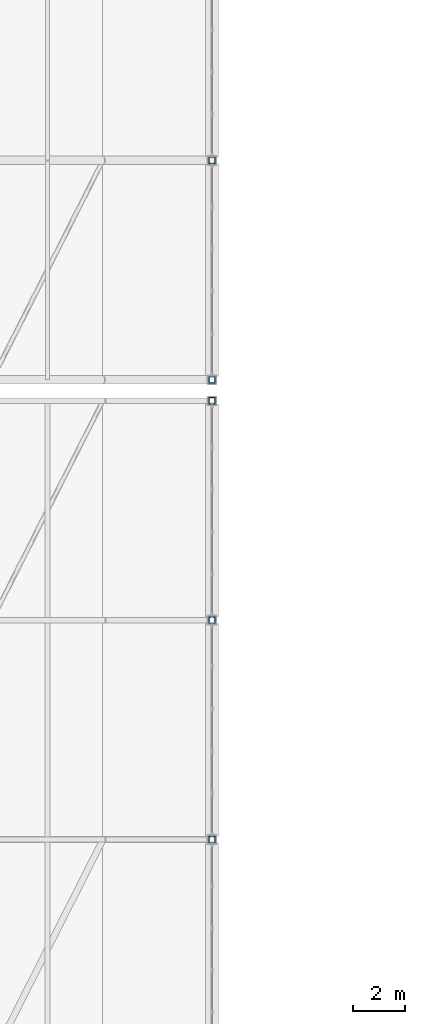
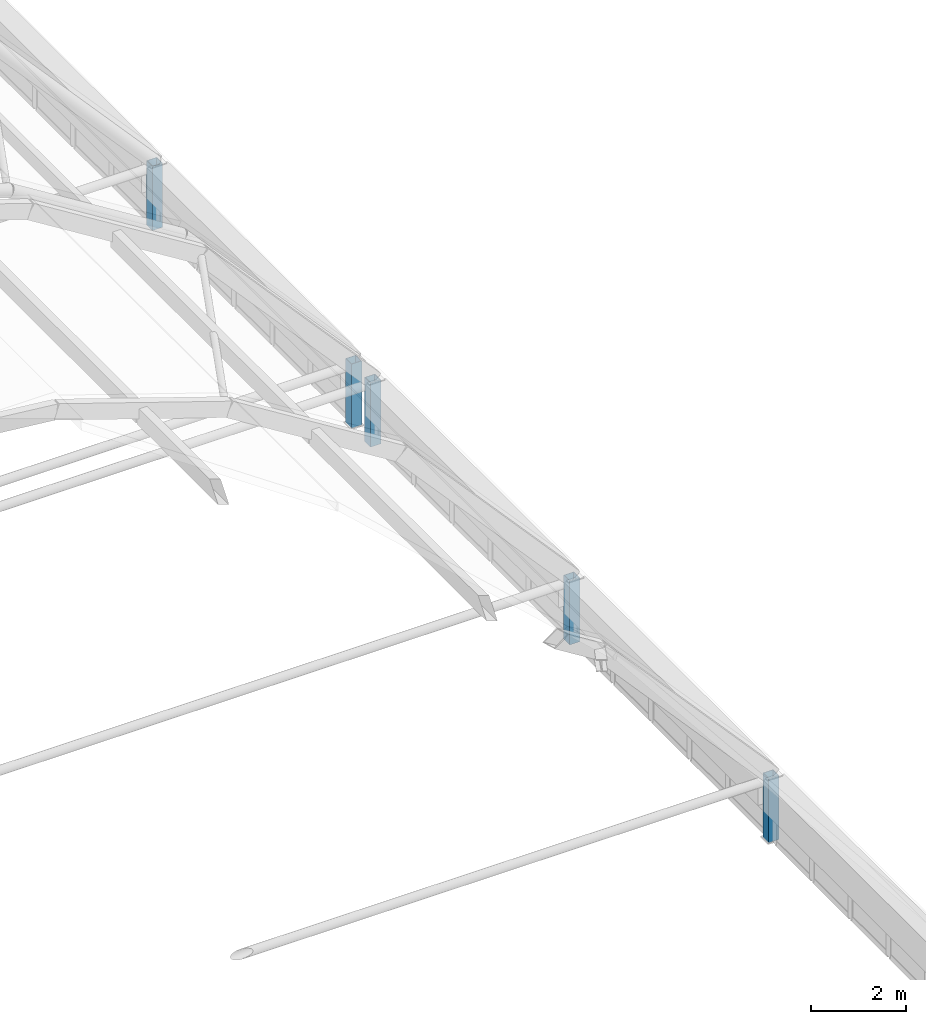
# One storey, part 4 of 114: 5 columns.
"""IFC4 building model written with IfcOpenShell, lengths in metres."""

from ifc_helpers import new_model, si_unit, direction, frame, origin, origin_2d, place, context, subcontext, project, spatial, hollow_rectangle, extrude, material, material_profile, profile_set, type_object, element, save


model = new_model("IFC4")

# Units and contexts
model_context = context("Model", 3, precision=1e-05, world=origin(), true_north=direction((0.0, 1.0)))
body_context = subcontext(model_context, "Body", "Model", "MODEL_VIEW")
ifc_project = project(units=[si_unit("LENGTHUNIT", "METRE"), si_unit("AREAUNIT", "SQUARE_METRE"), si_unit("VOLUMEUNIT", "CUBIC_METRE"), si_unit("PLANEANGLEUNIT", "RADIAN"), si_unit("MASSUNIT", "GRAM", prefix="KILO")], contexts=[model_context])

# Site, building, storey
site_placement = place(None, origin())
site = spatial("IfcSite", under=ifc_project, at=site_placement, CompositionType="ELEMENT")
building_placement = place(site_placement, origin())
building = spatial("IfcBuilding", under=site, at=building_placement, Name="Xazarin Passage Department Store", CompositionType="ELEMENT")
storey_placement = place(building_placement, frame((0.0, 0.0, 14.39990234375)))
storey = spatial("IfcBuildingStorey", under=building, at=storey_placement, Name="L03", CompositionType="ELEMENT", Elevation=14.39990234375)

# Columns
ifc_material = material(Name="Steel S355", Category="steel")
ifc_material_profile = material_profile(ifc_material, hollow_rectangle(XDim=0.25, YDim=0.25, WallThickness=0.012451171875, at=origin_2d()), Name="SHS 250x250x12.5")
ifc_profile_set = profile_set([ifc_material_profile], Name="Steel S355")
column_type = type_object("IfcColumnType", Name="STR-COL-DRM250", PredefinedType="COLUMN", material=ifc_profile_set)
for number, where, z_axis, x_axis, name in (
    (1, (101.60009765625, 33.60009765625, 0.0), (0.0, 0.0, 1.0), (1.0, 0.0, 0.0), "V2S Gridshell Drum Column E-5"),
    (2, (101.60009765625, 42.0, 0.0), (0.0, 0.0, 1.0), (1.0, 0.0, 0.0), "V2S Gridshell Drum Column E-6"),
    (3, (101.60009765625, 50.39990234375, 0.0), (0.0, 0.0, 1.0), (1.0, 0.0, 0.0), "V2S Gridshell Drum Column E-7"),
    (4, (101.60009765625, 51.199951171875, 0.0), (0.0, 0.0, 1.0), (1.0, 0.0, 0.0), "V2N Gridshell Drum Column E-1"),
    (5, (101.60009765625, 59.60009765625, 0.0), (0.0, 0.0, 1.0), (1.0, 0.0, 0.0), "V2N Gridshell Drum Column E-2"),
):
    element("IfcColumn", number, at=place(storey_placement, frame(where, z_axis=z_axis, x_axis=x_axis)), inside=storey, type_object=column_type, Name=name, PredefinedType="COLUMN", context=body_context, shape_type="SweptSolid", body=[
        extrude(hollow_rectangle(XDim=0.25, YDim=0.25, WallThickness=0.012451171875, at=origin_2d()), origin(), (0.0, 0.0, 1.0), 1.65185546875),
    ])

save(model, "model.ifc")
